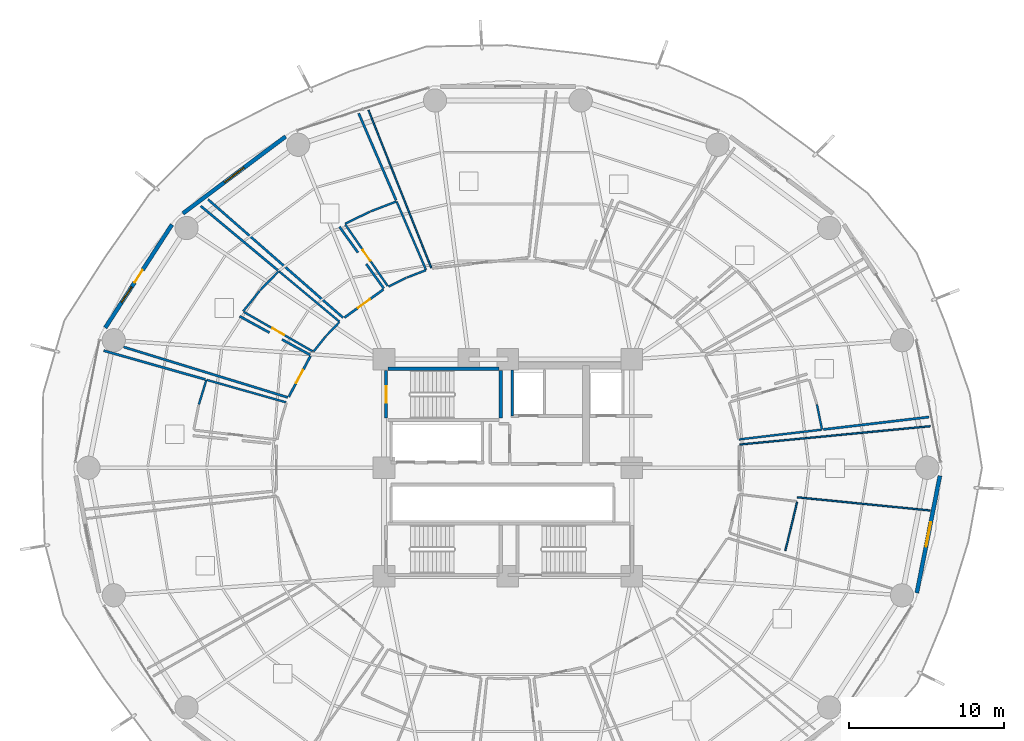
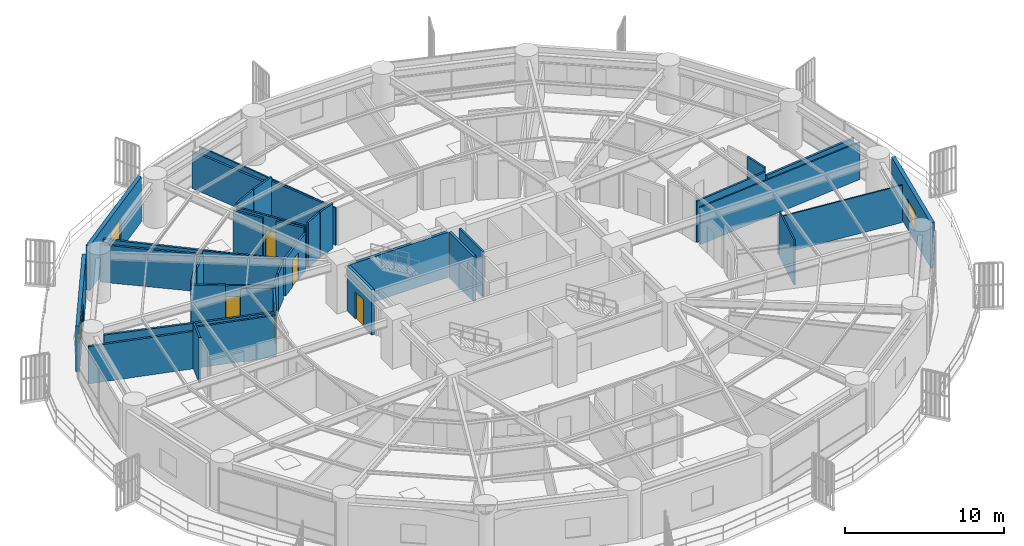
# One storey, part 25 of 33: 39 walls, 6 doors, 3 windows, 9 openings.
"""IFC4 building model written with IfcOpenShell, lengths in metres."""

from ifc_helpers import new_model, si_unit, direction, frame, frame_2d, origin, place, context, subcontext, project, spatial, rectangle, extrude, material, layer, layer_set, type_object, element, fill, save


model = new_model("IFC4")

# Units and contexts
model_context = context("Model", 3, precision=1e-05, world=origin(), true_north=direction((0.0, 1.0)))
body_context = subcontext(model_context, "Body", "Model", "MODEL_VIEW")
ifc_project = project(units=[si_unit("LENGTHUNIT", "METRE"), si_unit("AREAUNIT", "SQUARE_METRE"), si_unit("VOLUMEUNIT", "CUBIC_METRE"), si_unit("PLANEANGLEUNIT", "RADIAN"), si_unit("MASSUNIT", "GRAM", prefix="KILO")], contexts=[model_context])

# Site, building, storey
site_placement = place(None, origin())
site = spatial("IfcSite", under=ifc_project, at=site_placement, CompositionType="ELEMENT")
building_placement = place(site_placement, origin())
building = spatial("IfcBuilding", under=site, at=building_placement, Name="Kelanora Arch Commons", CompositionType="ELEMENT")
storey_placement = place(building_placement, frame((0.0, 0.0, 45.0)))
storey = spatial("IfcBuildingStorey", under=building, at=storey_placement, Name="L11", CompositionType="ELEMENT", Elevation=45.0)

# Wall
ifc_material_1 = material(Name="Autoclaved aerated concrete blockwork with fire plaster", Category="masonry")
ifc_layer_1 = layer(ifc_material_1, 0.14990234375)
ifc_layer_set_1 = layer_set([ifc_layer_1], Name="Autoclaved aerated concrete blockwork with fire plaster")
wall_type_1 = type_object("IfcWallType", Name="W-COMP-150", PredefinedType="PARTITIONING", material=ifc_layer_set_1)
wall_1_placement = place(storey_placement, frame((74.280029296875, 61.35009765625, 0.0), z_axis=(0.0, 0.0, 1.0), x_axis=(0.0, 1.0, 0.0)))
element("IfcWall", 1, at=wall_1_placement, inside=storey, type_object=wall_type_1, Name="Firefighting Lift 1 West Shaft Wall L11", PredefinedType="PARTITIONING", context=body_context, shape_type="SweptSolid", body=[
    extrude(rectangle(XDim=2.969970703125, YDim=0.14990234375, at=frame_2d((1.48486328125, 0.0))), origin(), (0.0, 0.0, 1.0), 3.47998046875),
])

# Wall, opening, door
wall_2_placement = place(storey_placement, frame((65.96337890625, 69.510986328125, 0.0), z_axis=(0.0, 0.0, 1.0), x_axis=(-0.811021116066, -0.585016879496, 0.0)))
wall_2 = element("IfcWall", 2, at=wall_2_placement, inside=storey, type_object=wall_type_1, Name="Co-Living Studio L11-05 Entry Partition", PredefinedType="PARTITIONING", context=body_context, shape_type="SweptSolid", body=[
    extrude(rectangle(XDim=3.105712890625, YDim=0.14990234375, at=frame_2d((1.552734375, 0.0))), origin(), (0.0, 0.0, 1.0), 2.875),
])
opening_1_placement = place(wall_2_placement, frame((1.077880859375, 0.0, 0.0)))
opening_1 = element("IfcOpeningElement", 3, at=opening_1_placement, cuts=wall_2, Name="Opening D-CLU1", PredefinedType="OPENING", context=body_context, shape_type="SweptSolid", body=[
    extrude(rectangle(XDim=0.949951171875, YDim=2.080078125, at=frame_2d((0.47509765625, 1.0400390625))), frame((0.0, 0.0849609375, 0.0), z_axis=(0.0, -1.0, 0.0), x_axis=(1.0, 0.0, 0.0)), (0.0, 0.0, 1.0), 0.169921875),
])
ifc_material_2 = material(Name="Solid-core acoustic timber cluster entry fire door", Category="wood")
door_type_1 = type_object("IfcDoorType", Name="D-CLU-95", OperationType="NOTDEFINED", PredefinedType="DOOR", material=ifc_material_2)
door_1_placement = place(opening_1_placement, origin())
door_1 = element("IfcDoor", 4, at=door_1_placement, inside=storey, type_object=door_type_1, Name="Co-Living Studio L11-05 Door", OperationType="SINGLE_SWING_RIGHT", OverallHeight=2.080078125, OverallWidth=0.949951171875, PredefinedType="DOOR", context=body_context, shape_type="SweptSolid", body=[
    extrude(rectangle(XDim=0.949951171875, YDim=2.080078125, at=frame_2d((0.47509765625, 1.0400390625))), frame((0.0, 0.02490234375, 0.0), z_axis=(0.0, -1.0, 0.0), x_axis=(1.0, 0.0, 0.0)), (0.0, 0.0, 1.0), 0.050048828125),
])
fill(opening_1, door_1)

wall_3_placement = place(storey_placement, frame((61.250732421875, 65.2060546875, 0.0), z_axis=(0.0, 0.0, 1.0), x_axis=(-0.470332327533, -0.882489377657, 0.0)))
wall_3 = element("IfcWall", 5, at=wall_3_placement, inside=storey, type_object=wall_type_1, Name="Co-Living Studio L11-06 Entry Partition", PredefinedType="PARTITIONING", context=body_context, shape_type="SweptSolid", body=[
    extrude(rectangle(XDim=2.97119140625, YDim=0.14990234375, at=frame_2d((1.485595703125, 0.0))), origin(), (0.0, 0.0, 1.0), 2.875),
])
opening_2_placement = place(wall_3_placement, frame((1.010986328125, 0.0, 0.0)))
opening_2 = element("IfcOpeningElement", 6, at=opening_2_placement, cuts=wall_3, Name="Opening D-CLU1", PredefinedType="OPENING", context=body_context, shape_type="SweptSolid", body=[
    extrude(rectangle(XDim=0.949951171875, YDim=2.080078125, at=frame_2d((0.47509765625, 1.0400390625))), frame((0.0, 0.0849609375, 0.0), z_axis=(0.0, -1.0, 0.0), x_axis=(1.0, 0.0, 0.0)), (0.0, 0.0, 1.0), 0.169921875),
])
door_2_placement = place(opening_2_placement, origin())
door_2 = element("IfcDoor", 7, at=door_2_placement, inside=storey, type_object=door_type_1, Name="Co-Living Studio L11-06 Door", OperationType="SINGLE_SWING_RIGHT", OverallHeight=2.080078125, OverallWidth=0.949951171875, PredefinedType="DOOR", context=body_context, shape_type="SweptSolid", body=[
    extrude(rectangle(XDim=0.949951171875, YDim=2.080078125, at=frame_2d((0.47509765625, 1.0400390625))), frame((0.0, 0.02490234375, 0.0), z_axis=(0.0, -1.0, 0.0), x_axis=(1.0, 0.0, 0.0)), (0.0, 0.0, 1.0), 0.050048828125),
])
fill(opening_2, door_2)

# Walls
wall_4_placement = place(storey_placement, frame((101.1923828125, 61.275390625, 0.0), z_axis=(0.0, 0.0, 1.0), x_axis=(-0.993130233211, -0.117014272133, 0.0)))
element("IfcWall", 8, at=wall_4_placement, inside=storey, type_object=wall_type_1, Name="Co-Living Studio L11-01 Enclosure Partition 5", PredefinedType="PARTITIONING", context=body_context, shape_type="SweptSolid", body=[
    extrude(rectangle(XDim=6.876953125, YDim=0.14990234375, at=frame_2d((3.4384765625, 0.0))), origin(), (0.0, 0.0, 1.0), 2.875),
])
wall_5_placement = place(storey_placement, frame((63.365966796875, 67.685302734375, 0.0), z_axis=(0.0, 0.0, 1.0), x_axis=(-0.752403187404, 0.658702849231, 0.0)))
element("IfcWall", 9, at=wall_5_placement, inside=storey, type_object=wall_type_1, Name="Co-Living Studio L11-05 Enclosure Partition 2", PredefinedType="PARTITIONING", context=body_context, shape_type="SweptSolid", body=[
    extrude(rectangle(XDim=11.5947265625, YDim=0.14990234375, at=frame_2d((5.79736328125, 0.0))), origin(), (0.0, 0.0, 1.0), 2.875),
])
wall_6_placement = place(storey_placement, frame((64.36669921875, 80.88427734375, 0.0), z_axis=(0.0, 0.0, 1.0), x_axis=(0.395282873179, -0.918559442917, 0.0)))
element("IfcWall", 10, at=wall_6_placement, inside=storey, type_object=wall_type_1, Name="Co-Living Studio L11-05 Enclosure Partition 5", PredefinedType="PARTITIONING", context=body_context, shape_type="SweptSolid", body=[
    extrude(rectangle(XDim=6.11328125, YDim=0.14990234375, at=frame_2d((3.056640625, 0.0))), origin(), (0.0, 0.0, 1.0), 2.875),
])
wall_7_placement = place(storey_placement, frame((63.123291015625, 73.5576171875, 0.0), z_axis=(0.0, 0.0, 1.0), x_axis=(0.58432672942, -0.811518498425, 0.0)))
element("IfcWall", 11, at=wall_7_placement, inside=storey, type_object=wall_type_1, Name="Co-Living Studio L11-05 Enclosure Partition 7", PredefinedType="PARTITIONING", context=body_context, shape_type="SweptSolid", body=[
    extrude(rectangle(XDim=2.046142578125, YDim=0.14990234375, at=frame_2d((1.02294921875, 0.0))), origin(), (0.0, 0.0, 1.0), 3.175048828125),
])
wall_8_placement = place(storey_placement, frame((64.856689453125, 71.150634765625, 0.0), z_axis=(0.0, 0.0, 1.0), x_axis=(0.584298085417, -0.811539122519, 0.0)))
element("IfcWall", 12, at=wall_8_placement, inside=storey, type_object=wall_type_1, Name="Co-Living Studio L11-05 Enclosure Partition 7", PredefinedType="PARTITIONING", context=body_context, shape_type="SweptSolid", body=[
    extrude(rectangle(XDim=1.93701171875, YDim=0.14990234375, at=frame_2d((0.968505859375, 0.0))), origin(), (0.0, 0.0, 1.0), 3.235107421875),
])
wall_9_placement = place(storey_placement, frame((59.786865234375, 62.542724609375, 0.0), z_axis=(0.0, 0.0, 1.0), x_axis=(-0.955941269752, 0.29355798198, 0.0)))
element("IfcWall", 13, at=wall_9_placement, inside=storey, type_object=wall_type_1, Name="Co-Living Studio L11-06 Enclosure Partition 2", PredefinedType="PARTITIONING", context=body_context, shape_type="SweptSolid", body=[
    extrude(rectangle(XDim=11.08349609375, YDim=0.14990234375, at=frame_2d((5.541748046875, 0.0))), origin(), (0.0, 0.0, 1.0), 3.175048828125),
])
wall_10_placement = place(storey_placement, frame((54.172607421875, 74.896484375, 0.0), z_axis=(0.0, 0.0, 1.0), x_axis=(0.768100814479, -0.640328930157, 0.0)))
element("IfcWall", 14, at=wall_10_placement, inside=storey, type_object=wall_type_1, Name="Co-Living Studio L11-06 Enclosure Partition 5", PredefinedType="PARTITIONING", context=body_context, shape_type="SweptSolid", body=[
    extrude(rectangle(XDim=6.479248046875, YDim=0.14990234375, at=frame_2d((3.23974609375, 0.0))), origin(), (0.0, 0.0, 1.0), 2.875),
])
wall_11_placement = place(storey_placement, frame((56.677978515625, 67.78271484375, 0.0), z_axis=(0.0, 0.0, 1.0), x_axis=(0.876780673324, -0.480890477017, 0.0)))
element("IfcWall", 15, at=wall_11_placement, inside=storey, type_object=wall_type_1, Name="Co-Living Studio L11-06 Enclosure Partition 7", PredefinedType="PARTITIONING", context=body_context, shape_type="SweptSolid", body=[
    extrude(rectangle(XDim=2.197265625, YDim=0.14990234375, at=frame_2d((1.0986328125, 0.0))), origin(), (0.0, 0.0, 1.0), 3.175048828125),
])
wall_12_placement = place(storey_placement, frame((59.411376953125, 66.283447265625, 0.0), z_axis=(0.0, 0.0, 1.0), x_axis=(0.876772690424, -0.480905031505, 0.0)))
element("IfcWall", 16, at=wall_12_placement, inside=storey, type_object=wall_type_1, Name="Co-Living Studio L11-06 Enclosure Partition 7", PredefinedType="PARTITIONING", context=body_context, shape_type="SweptSolid", body=[
    extrude(rectangle(XDim=2.090087890625, YDim=0.14990234375, at=frame_2d((1.044921875, 0.0))), origin(), (0.0, 0.0, 1.0), 2.875),
])
wall_13_placement = place(storey_placement, frame((47.905517578125, 65.56005859375, 0.0), z_axis=(0.0, 0.0, 1.0), x_axis=(0.962107451281, -0.272670592821, 0.0)))
element("IfcWall", 17, at=wall_13_placement, inside=storey, type_object=wall_type_1, Name="Co-Living Studio L11-07 Enclosure Partition 5", PredefinedType="PARTITIONING", context=body_context, shape_type="SweptSolid", body=[
    extrude(rectangle(XDim=6.81103515625, YDim=0.14990234375, at=frame_2d((3.405517578125, 0.0))), origin(), (0.0, 0.0, 1.0), 2.875),
])

# Wall, opening, window
ifc_material_3 = material(Name="Precast concrete C40/50 with terracotta rainscreen", Category="masonry")
ifc_layer_2 = layer(ifc_material_3, 0.260009765625)
ifc_layer_set_2 = layer_set([ifc_layer_2], Name="Precast concrete C40/50 with terracotta rainscreen")
wall_type_2 = type_object("IfcWallType", Name="W-EXT-TC", PredefinedType="SOLIDWALL", material=ifc_layer_set_2)
wall_14_placement = place(storey_placement, frame((59.651123046875, 79.38916015625, 0.0), z_axis=(0.0, 0.0, 1.0), x_axis=(-0.80030733173, -0.599590005569, 0.0)))
wall_14 = element("IfcWall", 18, at=wall_14_placement, inside=storey, type_object=wall_type_2, Name="Terracotta Exterior Wall L11-B06", PredefinedType="SOLIDWALL", context=body_context, shape_type="SweptSolid", body=[
    extrude(rectangle(XDim=8.29052734375, YDim=0.260009765625, at=frame_2d((4.145263671875, 0.0))), origin(), (0.0, 0.0, 1.0), 3.47509765625),
])
opening_3_placement = place(wall_14_placement, frame((3.344970703125, 0.0, 0.85009765625)))
opening_3 = element("IfcOpeningElement", 19, at=opening_3_placement, cuts=wall_14, Name="Opening WN-01", PredefinedType="OPENING", context=body_context, shape_type="SweptSolid", body=[
    extrude(rectangle(XDim=1.60009765625, YDim=1.449951171875, at=frame_2d((0.800048828125, 0.72509765625))), frame((0.0, 0.14013671875, 0.0), z_axis=(0.0, -1.0, 0.0), x_axis=(1.0, 0.0, 0.0)), (0.0, 0.0, 1.0), 0.280029296875),
])
ifc_material_4 = material(Name="Terracotta-anodised aluminium frame with operable low-E glazing", Category="masonry")
window_type_1 = type_object("IfcWindowType", Name="WIN-CL-18", PartitioningType="DOUBLE_PANEL_VERTICAL", PredefinedType="WINDOW", material=ifc_material_4)
window_1_placement = place(opening_3_placement, origin())
window_1 = element("IfcWindow", 20, at=window_1_placement, inside=storey, type_object=window_type_1, Name="Co-Living Operable Window L11-B06", OverallHeight=1.449951171875, OverallWidth=1.60009765625, PartitioningType="SINGLE_PANEL", PredefinedType="WINDOW", context=body_context, shape_type="SweptSolid", body=[
    extrude(rectangle(XDim=1.60009765625, YDim=1.449951171875, at=frame_2d((0.800048828125, 0.72509765625))), frame((0.0, 0.030029296875, 0.0), z_axis=(0.0, -1.0, 0.0), x_axis=(1.0, 0.0, 0.0)), (0.0, 0.0, 1.0), 0.06005859375),
])
fill(opening_3, window_1)

# Wall, openings, door, window
wall_15_placement = place(storey_placement, frame((52.310791015625, 73.698486328125, 0.0), z_axis=(0.0, 0.0, 1.0), x_axis=(-0.543005114258, -0.839729388488, 0.0)))
wall_15 = element("IfcWall", 21, at=wall_15_placement, inside=storey, type_object=wall_type_2, Name="Terracotta Exterior Wall L11-B07", PredefinedType="SOLIDWALL", context=body_context, shape_type="SweptSolid", body=[
    extrude(rectangle(XDim=7.9375, YDim=0.260009765625, at=frame_2d((3.96875, 0.0))), origin(), (0.0, 0.0, 1.0), 3.47509765625),
])
opening_4_placement = place(wall_15_placement, frame((3.493896484375, 0.0, 0.0)))
opening_4 = element("IfcOpeningElement", 22, at=opening_4_placement, cuts=wall_15, Name="Opening DB-01", PredefinedType="OPENING", context=body_context, shape_type="SweptSolid", body=[
    extrude(rectangle(XDim=0.949951171875, YDim=2.10009765625, at=frame_2d((0.47509765625, 1.050048828125))), frame((0.0, 0.14013671875, 0.0), z_axis=(0.0, -1.0, 0.0), x_axis=(1.0, 0.0, 0.0)), (0.0, 0.0, 1.0), 0.280029296875),
])
opening_5_placement = place(wall_15_placement, frame((4.7939453125, 0.0, 0.85009765625)))
opening_5 = element("IfcOpeningElement", 23, at=opening_5_placement, cuts=wall_15, Name="Opening WN-02", PredefinedType="OPENING", context=body_context, shape_type="SweptSolid", body=[
    extrude(rectangle(XDim=1.199951171875, YDim=1.449951171875, at=frame_2d((0.60009765625, 0.72509765625))), frame((0.0, 0.14013671875, 0.0), z_axis=(0.0, -1.0, 0.0), x_axis=(1.0, 0.0, 0.0)), (0.0, 0.0, 1.0), 0.280029296875),
])
ifc_material_5 = material(Name="Terracotta-aluminium thermally broken glazed balcony door", Category="masonry")
door_type_2 = type_object("IfcDoorType", Name="D-BAL-10", OperationType="NOTDEFINED", PredefinedType="DOOR", material=ifc_material_5)
door_3_placement = place(opening_4_placement, frame((0.949951171875, 0.0, 0.0), z_axis=(0.0, 0.0, 1.0), x_axis=(-1.0, 0.0, 0.0)))
door_3 = element("IfcDoor", 24, at=door_3_placement, inside=storey, type_object=door_type_2, Name="Wave Balcony Door L11-B07", OperationType="SINGLE_SWING_LEFT", OverallHeight=2.10009765625, OverallWidth=0.949951171875, PredefinedType="DOOR", context=body_context, shape_type="SweptSolid", body=[
    extrude(rectangle(XDim=0.949951171875, YDim=2.10009765625, at=frame_2d((0.47509765625, 1.050048828125))), frame((0.0, 0.02490234375, 0.0), z_axis=(0.0, -1.0, 0.0), x_axis=(1.0, 0.0, 0.0)), (0.0, 0.0, 1.0), 0.050048828125),
])
fill(opening_4, door_3)
ifc_material_6 = material(Name="Terracotta-anodised aluminium frame with operable awning sash", Category="masonry")
window_type_2 = type_object("IfcWindowType", Name="WIN-CL-12", PartitioningType="SINGLE_PANEL", PredefinedType="WINDOW", material=ifc_material_6)
window_2_placement = place(opening_5_placement, origin())
window_2 = element("IfcWindow", 25, at=window_2_placement, inside=storey, type_object=window_type_2, Name="Co-Living Operable Window L11-B07", OverallHeight=1.449951171875, OverallWidth=1.199951171875, PartitioningType="SINGLE_PANEL", PredefinedType="WINDOW", context=body_context, shape_type="SweptSolid", body=[
    extrude(rectangle(XDim=1.199951171875, YDim=1.449951171875, at=frame_2d((0.60009765625, 0.72509765625))), frame((0.0, 0.030029296875, 0.0), z_axis=(0.0, -1.0, 0.0), x_axis=(1.0, 0.0, 0.0)), (0.0, 0.0, 1.0), 0.06005859375),
])
fill(opening_5, window_2)

# Wall, opening, window
wall_16_placement = place(storey_placement, frame((100.404296875, 49.919921875, 0.0), z_axis=(0.0, 0.0, 1.0), x_axis=(0.193726159581, 0.98105564322, 0.0)))
wall_16 = element("IfcWall", 26, at=wall_16_placement, inside=storey, type_object=wall_type_2, Name="Terracotta Exterior Wall L11-B17", PredefinedType="SOLIDWALL", context=body_context, shape_type="SweptSolid", body=[
    extrude(rectangle(XDim=7.70263671875, YDim=0.260009765625, at=frame_2d((3.851318359375, 0.0))), origin(), (0.0, 0.0, 1.0), 3.47509765625),
])
opening_6_placement = place(wall_16_placement, frame((3.051025390625, 0.0, 0.85009765625)))
opening_6 = element("IfcOpeningElement", 27, at=opening_6_placement, cuts=wall_16, Name="Opening WN-01", PredefinedType="OPENING", context=body_context, shape_type="SweptSolid", body=[
    extrude(rectangle(XDim=1.60009765625, YDim=1.449951171875, at=frame_2d((0.800048828125, 0.72509765625))), frame((0.0, 0.14013671875, 0.0), z_axis=(0.0, -1.0, 0.0), x_axis=(1.0, 0.0, 0.0)), (0.0, 0.0, 1.0), 0.280029296875),
])
window_3_placement = place(opening_6_placement, origin())
window_3 = element("IfcWindow", 28, at=window_3_placement, inside=storey, type_object=window_type_1, Name="Co-Living Operable Window L11-B17", OverallHeight=1.449951171875, OverallWidth=1.60009765625, PartitioningType="SINGLE_PANEL", PredefinedType="WINDOW", context=body_context, shape_type="SweptSolid", body=[
    extrude(rectangle(XDim=1.60009765625, YDim=1.449951171875, at=frame_2d((0.800048828125, 0.72509765625))), frame((0.0, 0.030029296875, 0.0), z_axis=(0.0, -1.0, 0.0), x_axis=(1.0, 0.0, 0.0)), (0.0, 0.0, 1.0), 0.06005859375),
])
fill(opening_6, window_3)

# Walls
ifc_material_7 = material(Name="Lightweight fire-rated acoustic stud partition")
ifc_layer_3 = layer(ifc_material_7, 0.10009765625)
ifc_layer_set_3 = layer_set([ifc_layer_3], Name="Lightweight fire-rated acoustic stud partition")
wall_type_3 = type_object("IfcWallType", Name="W-PART-100", PredefinedType="PARTITIONING", material=ifc_layer_set_3)
wall_17_placement = place(storey_placement, frame((69.05322265625, 70.912109375, 0.0), z_axis=(0.0, 0.0, 1.0), x_axis=(-0.370325956987, 0.928901870803, 0.0)))
element("IfcWall", 29, at=wall_17_placement, inside=storey, type_object=wall_type_3, Name="Communal Dining and Social Hall L11-04 Enclosure Partition 2", PredefinedType="PARTITIONING", context=body_context, shape_type="SweptSolid", body=[
    extrude(rectangle(XDim=10.95361328125, YDim=0.10009765625, at=frame_2d((5.476806640625, 0.0))), origin(), (0.0, 0.0, 1.0), 2.875),
])
wall_18_placement = place(storey_placement, frame((92.672607421875, 55.783203125, 0.0), z_axis=(0.0, 0.0, 1.0), x_axis=(-0.234509762348, -0.97211376462, 0.0)))
element("IfcWall", 30, at=wall_18_placement, inside=storey, type_object=wall_type_3, Name="Student Laundry Room L11-14 Enclosure Partition 3", PredefinedType="PARTITIONING", context=body_context, shape_type="SweptSolid", body=[
    extrude(rectangle(XDim=3.22412109375, YDim=0.10009765625, at=frame_2d((1.612060546875, 0.0))), origin(), (0.0, 0.0, 1.0), 3.47998046875),
])
wall_19_placement = place(storey_placement, frame((88.978759765625, 59.499755859375, 0.0), z_axis=(0.0, 0.0, 1.0), x_axis=(0.995408087514, 0.095722198638, 0.0)))
element("IfcWall", 31, at=wall_19_placement, inside=storey, type_object=wall_type_3, Name="Quiet Reading Carrel L11-14 Enclosure Partition 2", PredefinedType="PARTITIONING", context=body_context, shape_type="SweptSolid", body=[
    extrude(rectangle(XDim=12.35205078125, YDim=0.10009765625, at=frame_2d((6.176025390625, 0.0))), origin(), (0.0, 0.0, 1.0), 2.875),
])
wall_20_placement = place(storey_placement, frame((101.26416015625, 55.240966796875, 0.0), z_axis=(0.0, 0.0, 1.0), x_axis=(-0.995131682946, 0.098554216532, 0.0)))
element("IfcWall", 32, at=wall_20_placement, inside=storey, type_object=wall_type_3, Name="Quiet Reading Carrel L11-14 Enclosure Partition 4", PredefinedType="PARTITIONING", context=body_context, shape_type="SweptSolid", body=[
    extrude(rectangle(XDim=8.630615234375, YDim=0.10009765625, at=frame_2d((4.3154296875, 0.0))), origin(), (0.0, 0.0, 1.0), 2.875),
])
ifc_material_8 = material(Name="Concrete C40/50", Category="concrete")
ifc_layer_4 = layer(ifc_material_8, 0.199951171875)
ifc_layer_set_4 = layer_set([ifc_layer_4], Name="Concrete C40/50")
wall_type_4 = type_object("IfcWallType", Name="W-STAIR-200", PredefinedType="SHEAR", material=ifc_layer_set_4)
wall_21_placement = place(storey_placement, frame((73.5400390625, 61.199951171875, 0.0), z_axis=(0.0, 0.0, 1.0), x_axis=(0.0, 1.0, 0.0)))
element("IfcWall", 33, at=wall_21_placement, inside=storey, type_object=wall_type_4, Name="Stair ST-T1 Shaft Wall E L11", PredefinedType="SHEAR", context=body_context, shape_type="SweptSolid", body=[
    extrude(rectangle(XDim=3.070068359375, YDim=0.199951171875, at=frame_2d((1.53515625, 0.0))), origin(), (0.0, 0.0, 1.0), 3.489990234375),
])
wall_22_placement = place(storey_placement, frame((73.419921875, 64.389892578125, 0.0), z_axis=(0.0, 0.0, 1.0), x_axis=(-1.0, 0.0, 0.0)))
element("IfcWall", 34, at=wall_22_placement, inside=storey, type_object=wall_type_4, Name="Stair ST-T1 Shaft Wall N L11", PredefinedType="SHEAR", context=body_context, shape_type="SweptSolid", body=[
    extrude(rectangle(XDim=7.159912109375, YDim=0.199951171875, at=frame_2d((3.580078125, 0.0))), origin(), (0.0, 0.0, 1.0), 3.489990234375),
])

# Wall, opening, door
wall_23_placement = place(storey_placement, frame((66.139892578125, 64.27001953125, 0.0), z_axis=(0.0, 0.0, 1.0), x_axis=(0.0, -1.0, 0.0)))
wall_23 = element("IfcWall", 35, at=wall_23_placement, inside=storey, type_object=wall_type_4, Name="Stair ST-T1 Shaft Wall W L11", PredefinedType="SHEAR", context=body_context, shape_type="SweptSolid", body=[
    extrude(rectangle(XDim=3.070068359375, YDim=0.199951171875, at=frame_2d((1.53515625, 0.0))), origin(), (0.0, 0.0, 1.0), 3.489990234375),
])
opening_7_placement = place(wall_23_placement, frame((1.010009765625, 0.0, 0.0)))
opening_7 = element("IfcOpeningElement", 36, at=opening_7_placement, cuts=wall_23, Name="Opening D-ST1", PredefinedType="OPENING", context=body_context, shape_type="SweptSolid", body=[
    extrude(rectangle(XDim=1.050048828125, YDim=2.10009765625, at=frame_2d((0.52490234375, 1.050048828125))), frame((0.0, 0.10986328125, 0.0), z_axis=(0.0, -1.0, 0.0), x_axis=(1.0, 0.0, 0.0)), (0.0, 0.0, 1.0), 0.219970703125),
])
ifc_material_9 = material(Name="Steel fire-rated stairwell escape door", Category="steel")
door_type_3 = type_object("IfcDoorType", Name="D-STAIR-110", OperationType="NOTDEFINED", PredefinedType="DOOR", material=ifc_material_9)
door_4_placement = place(opening_7_placement, origin())
door_4 = element("IfcDoor", 37, at=door_4_placement, inside=storey, type_object=door_type_3, Name="Stair ST-T1 Escape Door L11", OperationType="SINGLE_SWING_LEFT", OverallHeight=2.10009765625, OverallWidth=1.050048828125, PredefinedType="DOOR", context=body_context, shape_type="SweptSolid", body=[
    extrude(rectangle(XDim=1.050048828125, YDim=2.10009765625, at=frame_2d((0.52490234375, 1.050048828125))), frame((0.0, 0.02490234375, 0.0), z_axis=(0.0, -1.0, 0.0), x_axis=(1.0, 0.0, 0.0)), (0.0, 0.0, 1.0), 0.050048828125),
])
fill(opening_7, door_4)

ifc_material_10 = material(Name="Moisture-resistant fire-rated cement-board plumbing wall")
ifc_layer_5 = layer(ifc_material_10, 0.1298828125)
ifc_layer_set_5 = layer_set([ifc_layer_5], Name="Moisture-resistant fire-rated cement-board plumbing wall")
wall_type_5 = type_object("IfcWallType", Name="W-WET-120", PredefinedType="PLUMBINGWALL", material=ifc_layer_set_5)
wall_24_placement = place(storey_placement, frame((66.235107421875, 69.73828125, 0.0), z_axis=(0.0, 0.0, 1.0), x_axis=(-0.567426867042, 0.823423797664, 0.0)))
wall_24 = element("IfcWall", 38, at=wall_24_placement, inside=storey, type_object=wall_type_5, Name="En-Suite Shower WC L11-05 Entry Partition", PredefinedType="PLUMBINGWALL", context=body_context, shape_type="SweptSolid", body=[
    extrude(rectangle(XDim=4.809326171875, YDim=0.1298828125, at=frame_2d((2.40478515625, 0.0))), origin(), (0.0, 0.0, 1.0), 3.175048828125),
])
opening_8_placement = place(wall_24_placement, frame((1.97509765625, 0.0, 0.0)))
opening_8 = element("IfcOpeningElement", 39, at=opening_8_placement, cuts=wall_24, Name="Opening D-BT1", PredefinedType="OPENING", context=body_context, shape_type="SweptSolid", body=[
    extrude(rectangle(XDim=0.860107421875, YDim=2.050048828125, at=frame_2d((0.43017578125, 1.02490234375))), frame((0.0, 0.074951171875, 0.0), z_axis=(0.0, -1.0, 0.0), x_axis=(1.0, 0.0, 0.0)), (0.0, 0.0, 1.0), 0.14990234375),
])
ifc_material_11 = material(Name="Moisture-sealed fire-rated accessible bathroom door")
door_type_4 = type_object("IfcDoorType", Name="D-BATH-85", OperationType="NOTDEFINED", PredefinedType="DOOR", material=ifc_material_11)
door_5_placement = place(opening_8_placement, origin())
door_5 = element("IfcDoor", 40, at=door_5_placement, inside=storey, type_object=door_type_4, Name="En-Suite Shower WC L11-05 Door", OperationType="SINGLE_SWING_LEFT", OverallHeight=2.050048828125, OverallWidth=0.860107421875, PredefinedType="DOOR", context=body_context, shape_type="SweptSolid", body=[
    extrude(rectangle(XDim=0.860107421875, YDim=2.050048828125, at=frame_2d((0.43017578125, 1.02490234375))), frame((0.0, 0.02490234375, 0.0), z_axis=(0.0, -1.0, 0.0), x_axis=(1.0, 0.0, 0.0)), (0.0, 0.0, 1.0), 0.050048828125),
])
fill(opening_8, door_5)

wall_25_placement = place(storey_placement, frame((61.389892578125, 65.518798828125, 0.0), z_axis=(0.0, 0.0, 1.0), x_axis=(-0.867813964862, 0.496889245598, 0.0)))
wall_25 = element("IfcWall", 41, at=wall_25_placement, inside=storey, type_object=wall_type_5, Name="En-Suite Shower WC L11-06 Entry Partition", PredefinedType="PLUMBINGWALL", context=body_context, shape_type="SweptSolid", body=[
    extrude(rectangle(XDim=5.11474609375, YDim=0.1298828125, at=frame_2d((2.557373046875, 0.0))), origin(), (0.0, 0.0, 1.0), 2.875),
])
opening_9_placement = place(wall_25_placement, frame((2.126953125, 0.0, 0.0)))
opening_9 = element("IfcOpeningElement", 42, at=opening_9_placement, cuts=wall_25, Name="Opening D-BT1", PredefinedType="OPENING", context=body_context, shape_type="SweptSolid", body=[
    extrude(rectangle(XDim=0.860107421875, YDim=2.050048828125, at=frame_2d((0.43017578125, 1.02490234375))), frame((0.0, 0.074951171875, 0.0), z_axis=(0.0, -1.0, 0.0), x_axis=(1.0, 0.0, 0.0)), (0.0, 0.0, 1.0), 0.14990234375),
])
door_6_placement = place(opening_9_placement, origin())
door_6 = element("IfcDoor", 43, at=door_6_placement, inside=storey, type_object=door_type_4, Name="En-Suite Shower WC L11-06 Door", OperationType="SINGLE_SWING_LEFT", OverallHeight=2.050048828125, OverallWidth=0.860107421875, PredefinedType="DOOR", context=body_context, shape_type="SweptSolid", body=[
    extrude(rectangle(XDim=0.860107421875, YDim=2.050048828125, at=frame_2d((0.43017578125, 1.02490234375))), frame((0.0, 0.02490234375, 0.0), z_axis=(0.0, -1.0, 0.0), x_axis=(1.0, 0.0, 0.0)), (0.0, 0.0, 1.0), 0.050048828125),
])
fill(opening_9, door_6)

# Walls
wall_26_placement = place(storey_placement, frame((93.955078125, 62.079345703125, 0.0), z_axis=(0.0, 0.0, 1.0), x_axis=(0.198619685617, -0.980076640108, 0.0)))
element("IfcWall", 44, at=wall_26_placement, inside=storey, type_object=wall_type_5, Name="En-Suite Shower WC L11-01 Enclosure Partition 5", PredefinedType="PLUMBINGWALL", context=body_context, shape_type="SweptSolid", body=[
    extrude(rectangle(XDim=1.631103515625, YDim=0.1298828125, at=frame_2d((0.8154296875, 0.0))), origin(), (0.0, 0.0, 1.0), 3.47998046875),
])
wall_27_placement = place(storey_placement, frame((94.26318359375, 60.458740234375, 0.0), z_axis=(0.0, 0.0, 1.0), x_axis=(-0.993128310231, -0.117030591804, 0.0)))
element("IfcWall", 45, at=wall_27_placement, inside=storey, type_object=wall_type_5, Name="En-Suite Shower WC L11-01 Enclosure Partition 6", PredefinedType="PLUMBINGWALL", context=body_context, shape_type="SweptSolid", body=[
    extrude(rectangle(XDim=5.386474609375, YDim=0.1298828125, at=frame_2d((2.693359375, 0.0))), origin(), (0.0, 0.0, 1.0), 3.175048828125),
])
wall_28_placement = place(storey_placement, frame((68.703369140625, 70.7548828125, 0.0), z_axis=(0.0, 0.0, 1.0), x_axis=(-0.932299479839, -0.361687268082, 0.0)))
element("IfcWall", 46, at=wall_28_placement, inside=storey, type_object=wall_type_5, Name="En-Suite Shower WC L11-05 Enclosure Partition 1", PredefinedType="PLUMBINGWALL", context=body_context, shape_type="SweptSolid", body=[
    extrude(rectangle(XDim=1.30419921875, YDim=0.1298828125, at=frame_2d((0.652099609375, 0.0))), origin(), (0.0, 0.0, 1.0), 3.47998046875),
])
wall_29_placement = place(storey_placement, frame((67.450927734375, 70.26708984375, 0.0), z_axis=(0.0, 0.0, 1.0), x_axis=(-0.898275282077, -0.439433177639, 0.0)))
element("IfcWall", 47, at=wall_29_placement, inside=storey, type_object=wall_type_5, Name="En-Suite Shower WC L11-05 Enclosure Partition 2", PredefinedType="PLUMBINGWALL", context=body_context, shape_type="SweptSolid", body=[
    extrude(rectangle(XDim=1.295654296875, YDim=0.1298828125, at=frame_2d((0.64794921875, 0.0))), origin(), (0.0, 0.0, 1.0), 3.47998046875),
])
wall_30_placement = place(storey_placement, frame((63.489990234375, 73.756591796875, 0.0), z_axis=(0.0, 0.0, 1.0), x_axis=(0.899832096889, 0.436236400829, 0.0)))
element("IfcWall", 48, at=wall_30_placement, inside=storey, type_object=wall_type_5, Name="En-Suite Shower WC L11-05 Enclosure Partition 4", PredefinedType="PLUMBINGWALL", context=body_context, shape_type="SweptSolid", body=[
    extrude(rectangle(XDim=1.77587890625, YDim=0.1298828125, at=frame_2d((0.887939453125, 0.0))), origin(), (0.0, 0.0, 1.0), 3.47998046875),
])
wall_31_placement = place(storey_placement, frame((65.124755859375, 74.547119140625, 0.0), z_axis=(0.0, 0.0, 1.0), x_axis=(0.93361980904, 0.35826533766, 0.0)))
element("IfcWall", 49, at=wall_31_placement, inside=storey, type_object=wall_type_5, Name="En-Suite Shower WC L11-05 Enclosure Partition 5", PredefinedType="PLUMBINGWALL", context=body_context, shape_type="SweptSolid", body=[
    extrude(rectangle(XDim=1.7880859375, YDim=0.1298828125, at=frame_2d((0.89404296875, 0.0))), origin(), (0.0, 0.0, 1.0), 3.47998046875),
])
wall_32_placement = place(storey_placement, frame((66.82080078125, 75.176513671875, 0.0), z_axis=(0.0, 0.0, 1.0), x_axis=(0.395562338017, -0.918439130668, 0.0)))
element("IfcWall", 50, at=wall_32_placement, inside=storey, type_object=wall_type_5, Name="En-Suite Shower WC L11-05 Enclosure Partition 6", PredefinedType="PLUMBINGWALL", context=body_context, shape_type="SweptSolid", body=[
    extrude(rectangle(XDim=4.786376953125, YDim=0.1298828125, at=frame_2d((2.39306640625, 0.0))), origin(), (0.0, 0.0, 1.0), 3.175048828125),
])
wall_33_placement = place(storey_placement, frame((63.125, 67.40771484375, 0.0), z_axis=(0.0, 0.0, 1.0), x_axis=(-0.693342211096, -0.720608477824, 0.0)))
element("IfcWall", 51, at=wall_33_placement, inside=storey, type_object=wall_type_5, Name="En-Suite Shower WC L11-06 Enclosure Partition 1", PredefinedType="PLUMBINGWALL", context=body_context, shape_type="SweptSolid", body=[
    extrude(rectangle(XDim=1.253662109375, YDim=0.1298828125, at=frame_2d((0.626953125, 0.0))), origin(), (0.0, 0.0, 1.0), 2.875),
])
wall_34_placement = place(storey_placement, frame((62.2294921875, 66.474365234375, 0.0), z_axis=(0.0, 0.0, 1.0), x_axis=(-0.624263214868, -0.781214079854, 0.0)))
element("IfcWall", 52, at=wall_34_placement, inside=storey, type_object=wall_type_5, Name="En-Suite Shower WC L11-06 Enclosure Partition 2", PredefinedType="PLUMBINGWALL", context=body_context, shape_type="SweptSolid", body=[
    extrude(rectangle(XDim=1.2412109375, YDim=0.1298828125, at=frame_2d((0.62060546875, 0.0))), origin(), (0.0, 0.0, 1.0), 2.875),
])
wall_35_placement = place(storey_placement, frame((56.91162109375, 68.105712890625, 0.0), z_axis=(0.0, 0.0, 1.0), x_axis=(0.628152519701, 0.778090233837, 0.0)))
element("IfcWall", 53, at=wall_35_placement, inside=storey, type_object=wall_type_5, Name="En-Suite Shower WC L11-06 Enclosure Partition 4", PredefinedType="PLUMBINGWALL", context=body_context, shape_type="SweptSolid", body=[
    extrude(rectangle(XDim=1.693359375, YDim=0.1298828125, at=frame_2d((0.8466796875, 0.0))), origin(), (0.0, 0.0, 1.0), 3.175048828125),
])
wall_36_placement = place(storey_placement, frame((58.001953125, 69.453369140625, 0.0), z_axis=(0.0, 0.0, 1.0), x_axis=(0.697337129747, 0.716743278641, 0.0)))
element("IfcWall", 54, at=wall_36_placement, inside=storey, type_object=wall_type_5, Name="En-Suite Shower WC L11-06 Enclosure Partition 5", PredefinedType="PLUMBINGWALL", context=body_context, shape_type="SweptSolid", body=[
    extrude(rectangle(XDim=1.7109375, YDim=0.1298828125, at=frame_2d((0.85546875, 0.0))), origin(), (0.0, 0.0, 1.0), 2.875),
])
wall_37_placement = place(storey_placement, frame((59.224365234375, 70.68115234375, 0.0), z_axis=(0.0, 0.0, 1.0), x_axis=(0.768509127281, -0.63983882446, 0.0)))
element("IfcWall", 55, at=wall_37_placement, inside=storey, type_object=wall_type_5, Name="En-Suite Shower WC L11-06 Enclosure Partition 6", PredefinedType="PLUMBINGWALL", context=body_context, shape_type="SweptSolid", body=[
    extrude(rectangle(XDim=5.07373046875, YDim=0.1298828125, at=frame_2d((2.536865234375, 0.0))), origin(), (0.0, 0.0, 1.0), 3.175048828125),
])
wall_38_placement = place(storey_placement, frame((54.0478515625, 62.092041015625, 0.0), z_axis=(0.0, 0.0, 1.0), x_axis=(0.293405839872, 0.955987977502, 0.0)))
element("IfcWall", 56, at=wall_38_placement, inside=storey, type_object=wall_type_5, Name="En-Suite Shower WC L11-07 Enclosure Partition 5", PredefinedType="PLUMBINGWALL", context=body_context, shape_type="SweptSolid", body=[
    extrude(rectangle(XDim=1.64013671875, YDim=0.1298828125, at=frame_2d((0.820068359375, 0.0))), origin(), (0.0, 0.0, 1.0), 3.47998046875),
])
wall_39_placement = place(storey_placement, frame((54.55419921875, 63.673583984375, 0.0), z_axis=(0.0, 0.0, 1.0), x_axis=(0.962194506937, -0.272363233238, 0.0)))
element("IfcWall", 57, at=wall_39_placement, inside=storey, type_object=wall_type_5, Name="En-Suite Shower WC L11-07 Enclosure Partition 6", PredefinedType="PLUMBINGWALL", context=body_context, shape_type="SweptSolid", body=[
    extrude(rectangle(XDim=5.335205078125, YDim=0.1298828125, at=frame_2d((2.66748046875, 0.0))), origin(), (0.0, 0.0, 1.0), 3.175048828125),
])

save(model, "model.ifc")
